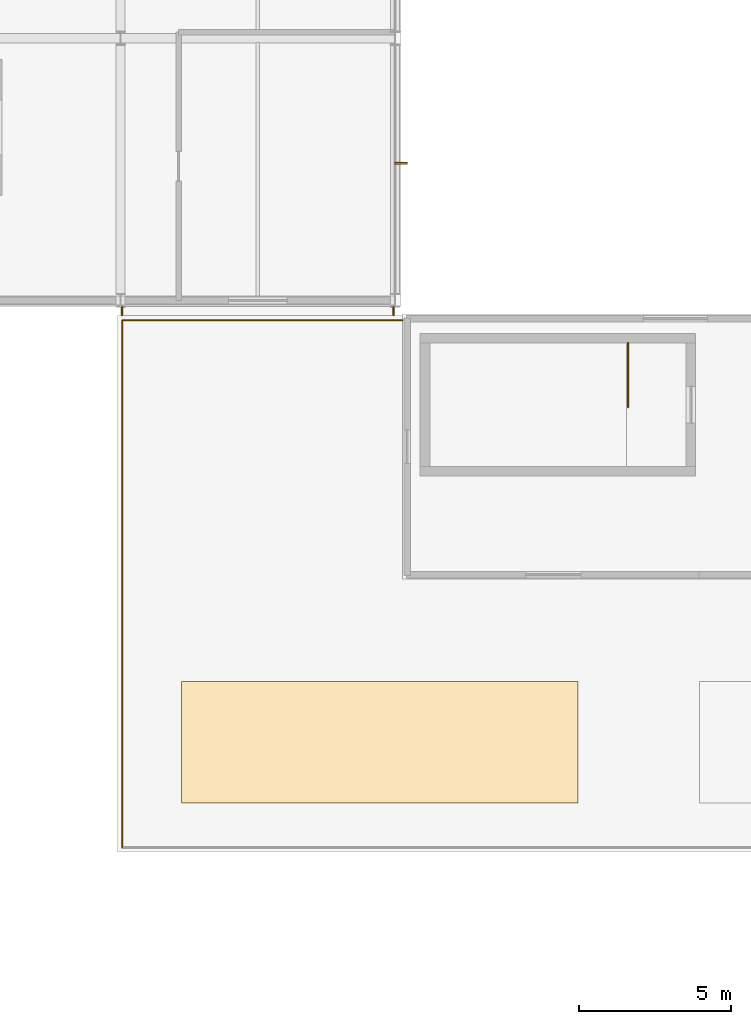
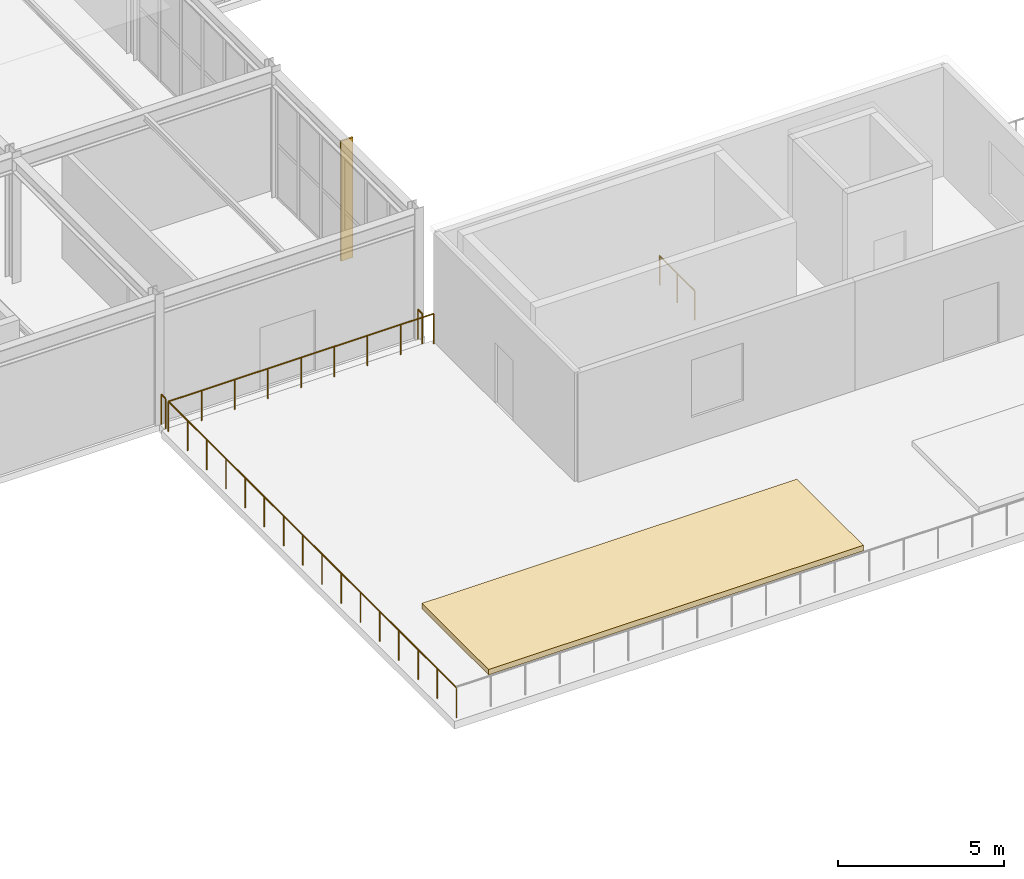
# One storey, part 107 of 112: 4 railings, 1 covering, 1 shading device.
"""IFC4 building model written with IfcOpenShell, lengths in metres."""

from ifc_helpers import new_model, si_unit, direction, frame, origin, origin_2d, place, context, subcontext, project, spatial, polyline, rectangle, circle, outline, extrude, material, layer, layer_set, type_object, element, save


model = new_model("IFC4")

# Units and contexts
model_context = context("Model", 3, precision=1e-05, world=origin(), true_north=direction((0.0, 1.0)))
body_context = subcontext(model_context, "Body", "Model", "MODEL_VIEW")
ifc_project = project(units=[si_unit("LENGTHUNIT", "METRE"), si_unit("AREAUNIT", "SQUARE_METRE"), si_unit("VOLUMEUNIT", "CUBIC_METRE"), si_unit("PLANEANGLEUNIT", "RADIAN"), si_unit("MASSUNIT", "GRAM", prefix="KILO")], contexts=[model_context])

# Site, building, storey
site_placement = place(None, origin())
site = spatial("IfcSite", under=ifc_project, at=site_placement, CompositionType="ELEMENT")
building_placement = place(site_placement, origin())
building = spatial("IfcBuilding", under=site, at=building_placement, Name="Kaldris Quays Convention Centre", CompositionType="ELEMENT")
storey_placement = place(building_placement, frame((0.0, 0.0, 16.800048828125)))
storey = spatial("IfcBuildingStorey", under=building, at=storey_placement, Name="L03", CompositionType="ELEMENT", Elevation=16.800048828125)

# Covering
ifc_material_1 = material(Name="Planted Basler Dachsubstrat mineral green roof", Category="earth")
ifc_layer = layer(ifc_material_1, 0.199951171875)
ifc_layer_set = layer_set([ifc_layer], Name="Planted Basler Dachsubstrat mineral green roof")
covering_type = type_object("IfcCoveringType", Name="BASEL NATIVE GREEN ROOF SUBSTRATE GRF1", PredefinedType="ROOFING", material=ifc_layer_set)
covering_placement = place(storey_placement, origin())
element("IfcCovering", 1, at=covering_placement, inside=storey, type_object=covering_type, Name="L03 Planted Roof Garden Native Bed 1", PredefinedType="ROOFING", context=body_context, shape_type="SweptSolid", body=[
    extrude(outline(polyline([(157.0, 21.5), (170.0, 21.5), (170.0, 25.5), (157.0, 25.5), (157.0, 21.5)])), origin(), (0.0, 0.0, 1.0), 0.199951171875),
])

# Railing
ifc_material_2 = material(Name="Steel S355J2", Category="steel")
railing_type_1 = type_object("IfcRailingType", Name="INTERIOR GUARDRAIL GR01", PredefinedType="GUARDRAIL", material=ifc_material_2)
railing_1_placement = place(storey_placement, frame((171.64990234375, 36.60009765625, 0.0)))
element("IfcRailing", 2, at=railing_1_placement, inside=storey, type_object=railing_type_1, Name="L03 ST15 Top Well Guardrail 1", PredefinedType="GUARDRAIL", context=body_context, shape_type="SweptSolid", body=[
    extrude(circle(Radius=0.02392578125, at=origin_2d()), frame((0.0, 0.0, 1.076171875), z_axis=(0.0, -1.0, 0.0), x_axis=(1.0, 0.0, 0.0)), (0.0, 0.0, 1.0), 2.10009765625),
    extrude(circle(Radius=0.02099609375, at=origin_2d()), origin(), (0.0, 0.0, 1.0), 1.052001953125),
    extrude(circle(Radius=0.02099609375, at=origin_2d()), frame((0.0, -1.050048828125, 0.0)), (0.0, 0.0, 1.0), 1.052001953125),
    extrude(circle(Radius=0.02099609375, at=origin_2d()), frame((0.0, -2.10009765625, 0.0)), (0.0, 0.0, 1.0), 1.052001953125),
])

# Shading device
ifc_material_3 = material(Name="Anodized aluminium AW-6060", Category="aluminium")
shading_device_type = type_object("IfcShadingDeviceType", Name="SOLAR SHADING FIN SH01", PredefinedType="USERDEFINED", material=ifc_material_3)
shading_device_placement = place(storey_placement, frame((164.199951171875, 42.5, 0.0), z_axis=(0.0, 0.0, 1.0), x_axis=(1.0, 0.0, 0.0)))
element("IfcShadingDevice", 3, at=shading_device_placement, inside=storey, type_object=shading_device_type, Name="L03 Anodized Solar Fin 7", ObjectType="SOLAR FIN", PredefinedType="USERDEFINED", context=body_context, shape_type="SweptSolid", body=[
    extrude(rectangle(XDim=0.419921875, YDim=0.06005859375, at=origin_2d()), origin(), (0.0, 0.0, 1.0), 4.39990234375),
])

# Railings
railing_type_2 = type_object("IfcRailingType", Name="TERRACE GUARDRAIL GR02", PredefinedType="GUARDRAIL", material=ifc_material_2)
railing_2_placement = place(storey_placement, frame((164.25, 37.35009765625, 0.0)))
element("IfcRailing", 4, at=railing_2_placement, inside=storey, type_object=railing_type_2, Name="L03 Planted Roof Garden West Guardrail", PredefinedType="GUARDRAIL", context=body_context, shape_type="SweptSolid", body=[
    extrude(circle(Radius=0.02392578125, at=origin_2d()), frame((0.0, 0.0, 1.09619140625), z_axis=(-1.0, 0.0, 0.0), x_axis=(0.0, -1.0, 0.0)), (0.0, 0.0, 1.0), 9.199951171875),
    extrude(circle(Radius=0.02392578125, at=origin_2d()), frame((-9.199951171875, 0.0, 1.09619140625), z_axis=(0.0, -1.0, 0.0), x_axis=(1.0, 0.0, 0.0)), (0.0, 0.0, 1.0), 17.300048828125),
    extrude(circle(Radius=0.02099609375, at=origin_2d()), origin(), (0.0, 0.0, 1.0), 1.072021484375),
    extrude(circle(Radius=0.02099609375, at=origin_2d()), frame((-1.14990234375, 0.0, 0.0)), (0.0, 0.0, 1.0), 1.072021484375),
    extrude(circle(Radius=0.02099609375, at=origin_2d()), frame((-2.300048828125, 0.0, 0.0)), (0.0, 0.0, 1.0), 1.072021484375),
    extrude(circle(Radius=0.02099609375, at=origin_2d()), frame((-3.449951171875, 0.0, 0.0)), (0.0, 0.0, 1.0), 1.072021484375),
    extrude(circle(Radius=0.02099609375, at=origin_2d()), frame((-4.60009765625, 0.0, 0.0)), (0.0, 0.0, 1.0), 1.072021484375),
    extrude(circle(Radius=0.02099609375, at=origin_2d()), frame((-5.75, 0.0, 0.0)), (0.0, 0.0, 1.0), 1.072021484375),
    extrude(circle(Radius=0.02099609375, at=origin_2d()), frame((-6.89990234375, 0.0, 0.0)), (0.0, 0.0, 1.0), 1.072021484375),
    extrude(circle(Radius=0.02099609375, at=origin_2d()), frame((-8.050048828125, 0.0, 0.0)), (0.0, 0.0, 1.0), 1.072021484375),
    extrude(circle(Radius=0.02099609375, at=origin_2d()), frame((-9.199951171875, 0.0, 0.0)), (0.0, 0.0, 1.0), 1.072021484375),
    extrude(circle(Radius=0.02099609375, at=origin_2d()), frame((-9.199951171875, -1.1533203125, 0.0)), (0.0, 0.0, 1.0), 1.072021484375),
    extrude(circle(Radius=0.02099609375, at=origin_2d()), frame((-9.199951171875, -2.306640625, 0.0)), (0.0, 0.0, 1.0), 1.072021484375),
    extrude(circle(Radius=0.02099609375, at=origin_2d()), frame((-9.199951171875, -3.4599609375, 0.0)), (0.0, 0.0, 1.0), 1.072021484375),
    extrude(circle(Radius=0.02099609375, at=origin_2d()), frame((-9.199951171875, -4.61328125, 0.0)), (0.0, 0.0, 1.0), 1.072021484375),
    extrude(circle(Radius=0.02099609375, at=origin_2d()), frame((-9.199951171875, -5.7666015625, 0.0)), (0.0, 0.0, 1.0), 1.072021484375),
    extrude(circle(Radius=0.02099609375, at=origin_2d()), frame((-9.199951171875, -6.919921875, 0.0)), (0.0, 0.0, 1.0), 1.072021484375),
    extrude(circle(Radius=0.02099609375, at=origin_2d()), frame((-9.199951171875, -8.0732421875, 0.0)), (0.0, 0.0, 1.0), 1.072021484375),
    extrude(circle(Radius=0.02099609375, at=origin_2d()), frame((-9.199951171875, -9.226806640625, 0.0)), (0.0, 0.0, 1.0), 1.072021484375),
    extrude(circle(Radius=0.02099609375, at=origin_2d()), frame((-9.199951171875, -10.380126953125, 0.0)), (0.0, 0.0, 1.0), 1.072021484375),
    extrude(circle(Radius=0.02099609375, at=origin_2d()), frame((-9.199951171875, -11.533447265625, 0.0)), (0.0, 0.0, 1.0), 1.072021484375),
    extrude(circle(Radius=0.02099609375, at=origin_2d()), frame((-9.199951171875, -12.686767578125, 0.0)), (0.0, 0.0, 1.0), 1.072021484375),
    extrude(circle(Radius=0.02099609375, at=origin_2d()), frame((-9.199951171875, -13.840087890625, 0.0)), (0.0, 0.0, 1.0), 1.072021484375),
    extrude(circle(Radius=0.02099609375, at=origin_2d()), frame((-9.199951171875, -14.993408203125, 0.0)), (0.0, 0.0, 1.0), 1.072021484375),
    extrude(circle(Radius=0.02099609375, at=origin_2d()), frame((-9.199951171875, -16.146728515625, 0.0)), (0.0, 0.0, 1.0), 1.072021484375),
    extrude(circle(Radius=0.02099609375, at=origin_2d()), frame((-9.199951171875, -17.300048828125, 0.0)), (0.0, 0.0, 1.0), 1.072021484375),
])
for number, where, name in (
    (5, (155.050048828125, 37.52001953125, 0.0), "L03 Seismic-Joint Bridge West Guardrail"),
    (6, (163.949951171875, 37.52001953125, 0.0), "L03 Seismic-Joint Bridge East Guardrail"),
):
    element("IfcRailing", number, at=place(storey_placement, frame(where)), inside=storey, type_object=railing_type_2, Name=name, PredefinedType="GUARDRAIL", context=body_context, shape_type="SweptSolid", body=[
        extrude(circle(Radius=0.02392578125, at=origin_2d()), frame((0.0, 0.0, 1.09619140625), z_axis=(0.0, 1.0, 0.0), x_axis=(-1.0, 0.0, 0.0)), (0.0, 0.0, 1.0), 0.260009765625),
        extrude(circle(Radius=0.02099609375, at=origin_2d()), origin(), (0.0, 0.0, 1.0), 1.072021484375),
        extrude(circle(Radius=0.02099609375, at=origin_2d()), frame((0.0, 0.260009765625, 0.0)), (0.0, 0.0, 1.0), 1.072021484375),
    ])

save(model, "model.ifc")
